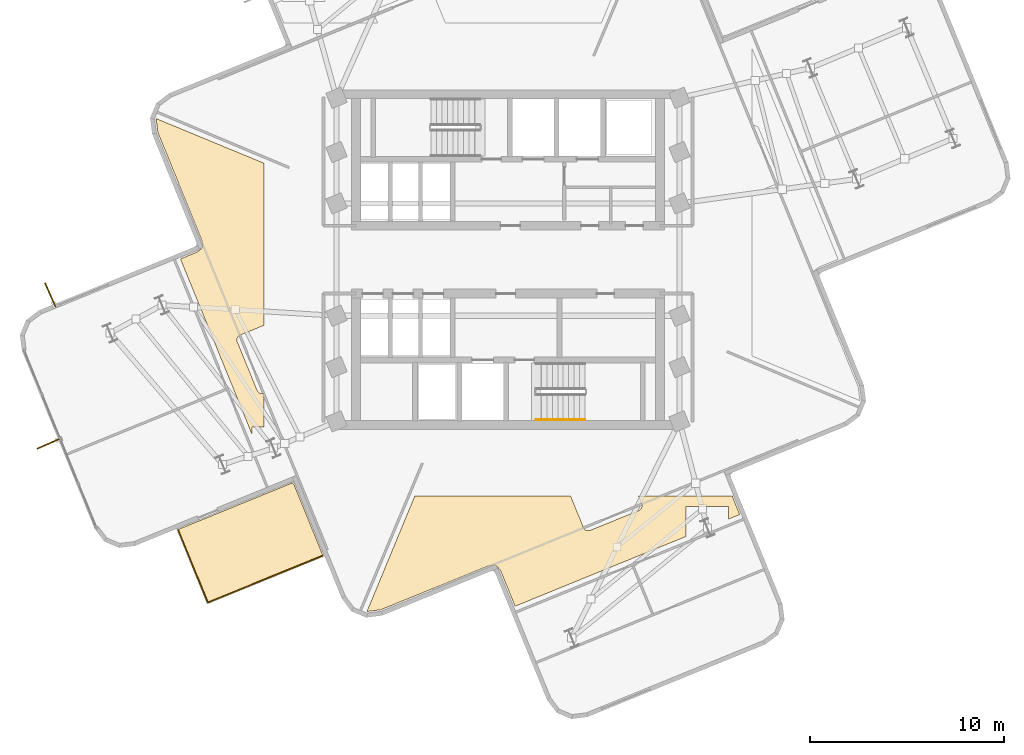
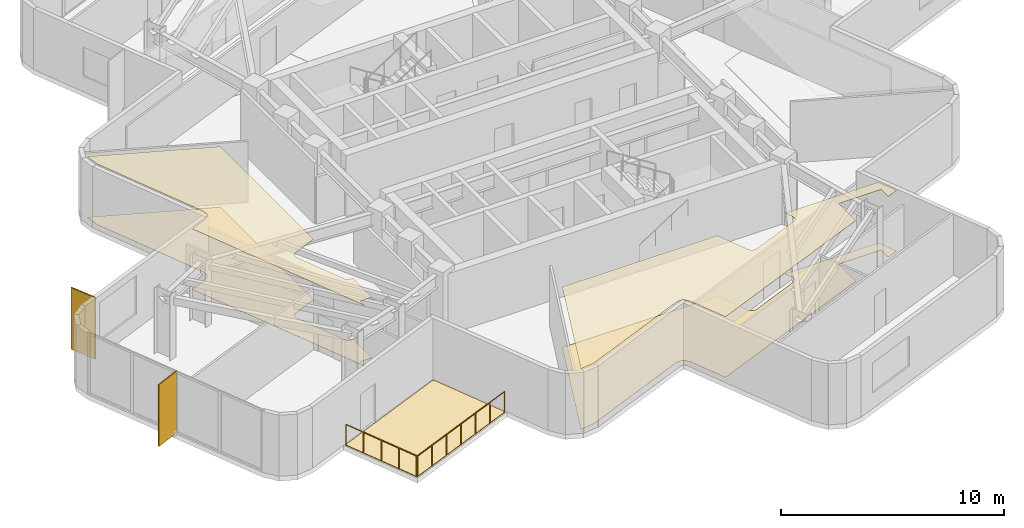
# One storey, part 9 of 11: 5 coverings, 3 railings, 2 shading devices.
"""IFC4 building model written with IfcOpenShell, lengths in metres."""

from ifc_helpers import new_model, si_unit, direction, frame, origin, origin_2d, place, context, subcontext, project, spatial, polyline, rectangle, circle, outline, extrude, material, layer, layer_set, type_object, element, save


model = new_model("IFC4")

# Units and contexts
model_context = context("Model", 3, precision=1e-05, world=origin(), true_north=direction((0.0, 1.0)))
body_context = subcontext(model_context, "Body", "Model", "MODEL_VIEW")
ifc_project = project(units=[si_unit("LENGTHUNIT", "METRE"), si_unit("AREAUNIT", "SQUARE_METRE"), si_unit("VOLUMEUNIT", "CUBIC_METRE"), si_unit("PLANEANGLEUNIT", "RADIAN"), si_unit("MASSUNIT", "GRAM", prefix="KILO")], contexts=[model_context])

# Site, building, storey
site_placement = place(None, origin())
site = spatial("IfcSite", under=ifc_project, at=site_placement, CompositionType="ELEMENT")
building_placement = place(site_placement, origin())
building = spatial("IfcBuilding", under=site, at=building_placement, Name="Solmarez Civic Tower", CompositionType="ELEMENT")
storey_placement = place(building_placement, frame((0.0, 0.0, 177.47998046875)))
storey = spatial("IfcBuildingStorey", under=building, at=storey_placement, Name="L47", CompositionType="ELEMENT", Elevation=177.47998046875)

# Coverings
ifc_material_1 = material(Name="Perforated Mineral-Fibre Acoustic Ceiling")
ifc_layer_1 = layer(ifc_material_1, 0.02490234375)
ifc_layer_set_1 = layer_set([ifc_layer_1], Name="Perforated Mineral-Fibre Acoustic Ceiling")
covering_type_1 = type_object("IfcCoveringType", Name="COV-CEIL-ACOUSTIC", PredefinedType="CEILING", material=ifc_layer_set_1)
covering_1_placement = place(storey_placement, frame((0.0, 0.0, 3.31494140625)))
element("IfcCovering", 1, at=covering_1_placement, inside=storey, type_object=covering_type_1, Name="L47 Suspended Acoustic Ceiling 2", PredefinedType="CEILING", context=body_context, shape_type="SweptSolid", body=[
    extrude(outline(polyline([(11.568115234375, -12.199951171875), (6.72802734375, -12.199951171875), (6.89208984375, -12.60107421875), (6.89404296875, -12.60595703125), (6.89990234375, -12.623046875), (6.905029296875, -12.639892578125), (6.906982421875, -12.64892578125), (6.910888671875, -12.673095703125), (6.912109375, -12.697021484375), (6.912109375, -12.70703125), (6.910888671875, -12.72900390625), (6.907958984375, -12.75), (6.906982421875, -12.7548828125), (6.89990234375, -12.781982421875), (6.89697265625, -12.791015625), (6.89208984375, -12.802978515625), (6.889892578125, -12.80810546875), (6.882080078125, -12.824951171875), (6.873046875, -12.842041015625), (6.862060546875, -12.85791015625), (6.85595703125, -12.865966796875), (6.846923828125, -12.876953125), (6.841064453125, -12.884033203125), (6.823974609375, -12.902099609375), (6.805908203125, -12.9169921875), (6.802001953125, -12.919921875), (6.781005859375, -12.93408203125), (6.759033203125, -12.945068359375), (6.75, -12.948974609375), (6.743896484375, -12.951904296875), (4.242919921875, -13.971923828125), (4.238037109375, -13.97412109375), (4.218994140625, -13.98095703125), (4.198974609375, -13.986083984375), (4.194091796875, -13.987060546875), (4.175048828125, -13.989990234375), (4.166015625, -13.990966796875), (4.14208984375, -13.991943359375), (4.136962890625, -13.991943359375), (4.114990234375, -13.990966796875), (4.093994140625, -13.988037109375), (4.089111328125, -13.987060546875), (4.06201171875, -13.97998046875), (4.052978515625, -13.97705078125), (4.041015625, -13.971923828125), (4.035888671875, -13.969970703125), (4.01904296875, -13.9619140625), (4.001953125, -13.952880859375), (3.986083984375, -13.94189453125), (3.97802734375, -13.93603515625), (3.97412109375, -13.93310546875), (3.9560546875, -13.91796875), (3.93896484375, -13.89990234375), (3.93310546875, -13.89306640625), (3.919921875, -13.8759765625), (3.908935546875, -13.85791015625), (3.89892578125, -13.839111328125), (3.89501953125, -13.830078125), (3.89208984375, -13.823974609375), (3.22900390625, -12.199951171875), (-4.81201171875, -12.199951171875), (-7.278076171875, -18.157958984375), (-7.27197265625, -18.159912109375), (-6.569091796875, -18.071044921875), (-1.032958984375, -15.81201171875), (-1.010009765625, -15.803955078125), (-1.0029296875, -15.802001953125), (-0.99609375, -15.800048828125), (-0.967041015625, -15.7939453125), (-0.95703125, -15.79296875), (-0.787109375, -15.77099609375), (-0.759033203125, -15.76904296875), (-0.742919921875, -15.76904296875), (-0.7119140625, -15.77099609375), (-0.70703125, -15.77197265625), (-0.700927734375, -15.77294921875), (-0.68408203125, -15.77490234375), (-0.66796875, -15.779052734375), (-0.660888671875, -15.781005859375), (-0.634033203125, -15.791015625), (-0.626953125, -15.7939453125), (-0.60498046875, -15.804931640625), (-0.597900390625, -15.80908203125), (-0.5849609375, -15.81689453125), (-0.5791015625, -15.821044921875), (-0.56005859375, -15.8349609375), (-0.553955078125, -15.840087890625), (-0.5390625, -15.85302734375), (-0.533935546875, -15.85791015625), (-0.52099609375, -15.873046875), (-0.51611328125, -15.87890625), (-0.510009765625, -15.886962890625), (-0.406005859375, -16.02392578125), (-0.39794921875, -16.034912109375), (-0.39404296875, -16.041015625), (-0.3798828125, -16.06494140625), (-0.3740234375, -16.076904296875), (-0.366943359375, -16.092041015625), (0.365966796875, -17.887939453125), (9.18994140625, -14.287109375), (9.18994140625, -12.75), (11.389892578125, -12.75), (11.389892578125, -13.388916015625), (11.9580078125, -13.156982421875), (11.568115234375, -12.199951171875)])), origin(), (0.0, 0.0, 1.0), 0.025146484375),
])
covering_2_placement = place(storey_placement, frame((0.0, 0.0, 3.31494140625)))
element("IfcCovering", 2, at=covering_2_placement, inside=storey, type_object=covering_type_1, Name="L47 Suspended Acoustic Ceiling 4", PredefinedType="CEILING", context=body_context, shape_type="SweptSolid", body=[
    extrude(outline(polyline([(-13.2060546875, -9.031982421875), (-13.2060546875, -8.631103515625), (-12.60009765625, -8.631103515625), (-12.60009765625, -6.89208984375), (-12.613037109375, -6.89697265625), (-12.6220703125, -6.89990234375), (-12.64892578125, -6.906982421875), (-12.654052734375, -6.907958984375), (-12.675048828125, -6.910888671875), (-12.697021484375, -6.912109375), (-12.70703125, -6.912109375), (-12.72900390625, -6.910888671875), (-12.75, -6.907958984375), (-12.7548828125, -6.906982421875), (-12.781982421875, -6.89990234375), (-12.791015625, -6.89697265625), (-12.802978515625, -6.89208984375), (-12.80810546875, -6.889892578125), (-12.824951171875, -6.882080078125), (-12.842041015625, -6.873046875), (-12.85791015625, -6.862060546875), (-12.865966796875, -6.85595703125), (-12.876953125, -6.846923828125), (-12.884033203125, -6.841064453125), (-12.902099609375, -6.823974609375), (-12.9169921875, -6.805908203125), (-12.919921875, -6.802001953125), (-12.93408203125, -6.781005859375), (-12.945068359375, -6.759033203125), (-12.948974609375, -6.75), (-12.951904296875, -6.743896484375), (-13.971923828125, -4.242919921875), (-13.97412109375, -4.238037109375), (-13.98095703125, -4.218994140625), (-13.986083984375, -4.198974609375), (-13.987060546875, -4.194091796875), (-13.989990234375, -4.175048828125), (-13.990966796875, -4.166015625), (-13.991943359375, -4.14208984375), (-13.991943359375, -4.136962890625), (-13.990966796875, -4.114990234375), (-13.988037109375, -4.093994140625), (-13.987060546875, -4.089111328125), (-13.97998046875, -4.06201171875), (-13.97705078125, -4.052978515625), (-13.971923828125, -4.041015625), (-13.969970703125, -4.035888671875), (-13.9619140625, -4.01904296875), (-13.952880859375, -4.001953125), (-13.94189453125, -3.986083984375), (-13.93603515625, -3.97802734375), (-13.93310546875, -3.97412109375), (-13.91796875, -3.9560546875), (-13.89990234375, -3.93896484375), (-13.89306640625, -3.93310546875), (-13.8759765625, -3.919921875), (-13.85791015625, -3.908935546875), (-13.839111328125, -3.89892578125), (-13.830078125, -3.89501953125), (-13.823974609375, -3.89208984375), (-12.60009765625, -3.39208984375), (-12.60009765625, 4.97705078125), (-18.157958984375, 7.278076171875), (-18.159912109375, 7.27197265625), (-18.071044921875, 6.569091796875), (-15.81201171875, 1.032958984375), (-15.803955078125, 1.010009765625), (-15.802001953125, 1.0029296875), (-15.800048828125, 0.99609375), (-15.7939453125, 0.967041015625), (-15.79296875, 0.95703125), (-15.77099609375, 0.787109375), (-15.76904296875, 0.759033203125), (-15.76904296875, 0.742919921875), (-15.77099609375, 0.7119140625), (-15.77197265625, 0.70703125), (-15.77294921875, 0.700927734375), (-15.77490234375, 0.68408203125), (-15.779052734375, 0.66796875), (-15.781005859375, 0.660888671875), (-15.791015625, 0.634033203125), (-15.7939453125, 0.626953125), (-15.804931640625, 0.60498046875), (-15.80908203125, 0.597900390625), (-15.81689453125, 0.5849609375), (-15.821044921875, 0.5791015625), (-15.8349609375, 0.56005859375), (-15.840087890625, 0.553955078125), (-15.85302734375, 0.5390625), (-15.85791015625, 0.533935546875), (-15.873046875, 0.52099609375), (-15.87890625, 0.51611328125), (-15.886962890625, 0.510009765625), (-16.02392578125, 0.406005859375), (-16.034912109375, 0.39794921875), (-16.041015625, 0.39404296875), (-16.06494140625, 0.3798828125), (-16.076904296875, 0.3740234375), (-16.092041015625, 0.366943359375), (-16.906005859375, 0.034912109375), (-13.2060546875, -9.031982421875)])), origin(), (0.0, 0.0, 1.0), 0.025146484375),
])
ifc_material_2 = material(Name="Polished Tropical Stone Terrazzo Flooring", Category="masonry")
ifc_layer_2 = layer(ifc_material_2, 0.02001953125)
ifc_layer_set_2 = layer_set([ifc_layer_2], Name="Polished Tropical Stone Terrazzo Flooring")
covering_type_2 = type_object("IfcCoveringType", Name="COV-FLOOR-TERRAZZO", PredefinedType="FLOORING", material=ifc_layer_set_2)
covering_3_placement = place(storey_placement, origin())
element("IfcCovering", 3, at=covering_3_placement, inside=storey, type_object=covering_type_2, Name="L47 Terrazzo Floor Finish 2", PredefinedType="FLOORING", context=body_context, shape_type="SweptSolid", body=[
    extrude(outline(polyline([(11.568115234375, -12.199951171875), (6.72802734375, -12.199951171875), (6.89208984375, -12.60107421875), (6.89404296875, -12.60595703125), (6.89990234375, -12.623046875), (6.905029296875, -12.639892578125), (6.906982421875, -12.64892578125), (6.910888671875, -12.673095703125), (6.912109375, -12.697021484375), (6.912109375, -12.70703125), (6.910888671875, -12.72900390625), (6.907958984375, -12.75), (6.906982421875, -12.7548828125), (6.89990234375, -12.781982421875), (6.89697265625, -12.791015625), (6.89208984375, -12.802978515625), (6.889892578125, -12.80810546875), (6.882080078125, -12.824951171875), (6.873046875, -12.842041015625), (6.862060546875, -12.85791015625), (6.85595703125, -12.865966796875), (6.846923828125, -12.876953125), (6.841064453125, -12.884033203125), (6.823974609375, -12.902099609375), (6.805908203125, -12.9169921875), (6.802001953125, -12.919921875), (6.781005859375, -12.93408203125), (6.759033203125, -12.945068359375), (6.75, -12.948974609375), (6.743896484375, -12.951904296875), (4.242919921875, -13.971923828125), (4.238037109375, -13.97412109375), (4.218994140625, -13.98095703125), (4.198974609375, -13.986083984375), (4.194091796875, -13.987060546875), (4.175048828125, -13.989990234375), (4.166015625, -13.990966796875), (4.14208984375, -13.991943359375), (4.136962890625, -13.991943359375), (4.114990234375, -13.990966796875), (4.093994140625, -13.988037109375), (4.089111328125, -13.987060546875), (4.06201171875, -13.97998046875), (4.052978515625, -13.97705078125), (4.041015625, -13.971923828125), (4.035888671875, -13.969970703125), (4.01904296875, -13.9619140625), (4.001953125, -13.952880859375), (3.986083984375, -13.94189453125), (3.97802734375, -13.93603515625), (3.97412109375, -13.93310546875), (3.9560546875, -13.91796875), (3.93896484375, -13.89990234375), (3.93310546875, -13.89306640625), (3.919921875, -13.8759765625), (3.908935546875, -13.85791015625), (3.89892578125, -13.839111328125), (3.89501953125, -13.830078125), (3.89208984375, -13.823974609375), (3.22900390625, -12.199951171875), (-4.81201171875, -12.199951171875), (-7.278076171875, -18.157958984375), (-7.27197265625, -18.159912109375), (-6.569091796875, -18.071044921875), (-1.032958984375, -15.81201171875), (-1.010009765625, -15.803955078125), (-1.0029296875, -15.802001953125), (-0.99609375, -15.800048828125), (-0.967041015625, -15.7939453125), (-0.95703125, -15.79296875), (-0.787109375, -15.77099609375), (-0.759033203125, -15.76904296875), (-0.742919921875, -15.76904296875), (-0.7119140625, -15.77099609375), (-0.70703125, -15.77197265625), (-0.700927734375, -15.77294921875), (-0.68408203125, -15.77490234375), (-0.66796875, -15.779052734375), (-0.660888671875, -15.781005859375), (-0.634033203125, -15.791015625), (-0.626953125, -15.7939453125), (-0.60498046875, -15.804931640625), (-0.597900390625, -15.80908203125), (-0.5849609375, -15.81689453125), (-0.5791015625, -15.821044921875), (-0.56005859375, -15.8349609375), (-0.553955078125, -15.840087890625), (-0.5390625, -15.85302734375), (-0.533935546875, -15.85791015625), (-0.52099609375, -15.873046875), (-0.51611328125, -15.87890625), (-0.510009765625, -15.886962890625), (-0.406005859375, -16.02392578125), (-0.39794921875, -16.034912109375), (-0.39404296875, -16.041015625), (-0.3798828125, -16.06494140625), (-0.3740234375, -16.076904296875), (-0.366943359375, -16.092041015625), (0.365966796875, -17.887939453125), (9.18994140625, -14.287109375), (9.18994140625, -12.75), (11.389892578125, -12.75), (11.389892578125, -13.388916015625), (11.9580078125, -13.156982421875), (11.568115234375, -12.199951171875)])), origin(), (0.0, 0.0, 1.0), 0.02001953125),
])
covering_4_placement = place(storey_placement, origin())
element("IfcCovering", 4, at=covering_4_placement, inside=storey, type_object=covering_type_2, Name="L47 Terrazzo Floor Finish 4", PredefinedType="FLOORING", context=body_context, shape_type="SweptSolid", body=[
    extrude(outline(polyline([(-13.2060546875, -9.031982421875), (-13.2060546875, -8.631103515625), (-12.60009765625, -8.631103515625), (-12.60009765625, -6.89208984375), (-12.613037109375, -6.89697265625), (-12.6220703125, -6.89990234375), (-12.64892578125, -6.906982421875), (-12.654052734375, -6.907958984375), (-12.675048828125, -6.910888671875), (-12.697021484375, -6.912109375), (-12.70703125, -6.912109375), (-12.72900390625, -6.910888671875), (-12.75, -6.907958984375), (-12.7548828125, -6.906982421875), (-12.781982421875, -6.89990234375), (-12.791015625, -6.89697265625), (-12.802978515625, -6.89208984375), (-12.80810546875, -6.889892578125), (-12.824951171875, -6.882080078125), (-12.842041015625, -6.873046875), (-12.85791015625, -6.862060546875), (-12.865966796875, -6.85595703125), (-12.876953125, -6.846923828125), (-12.884033203125, -6.841064453125), (-12.902099609375, -6.823974609375), (-12.9169921875, -6.805908203125), (-12.919921875, -6.802001953125), (-12.93408203125, -6.781005859375), (-12.945068359375, -6.759033203125), (-12.948974609375, -6.75), (-12.951904296875, -6.743896484375), (-13.971923828125, -4.242919921875), (-13.97412109375, -4.238037109375), (-13.98095703125, -4.218994140625), (-13.986083984375, -4.198974609375), (-13.987060546875, -4.194091796875), (-13.989990234375, -4.175048828125), (-13.990966796875, -4.166015625), (-13.991943359375, -4.14208984375), (-13.991943359375, -4.136962890625), (-13.990966796875, -4.114990234375), (-13.988037109375, -4.093994140625), (-13.987060546875, -4.089111328125), (-13.97998046875, -4.06201171875), (-13.97705078125, -4.052978515625), (-13.971923828125, -4.041015625), (-13.969970703125, -4.035888671875), (-13.9619140625, -4.01904296875), (-13.952880859375, -4.001953125), (-13.94189453125, -3.986083984375), (-13.93603515625, -3.97802734375), (-13.93310546875, -3.97412109375), (-13.91796875, -3.9560546875), (-13.89990234375, -3.93896484375), (-13.89306640625, -3.93310546875), (-13.8759765625, -3.919921875), (-13.85791015625, -3.908935546875), (-13.839111328125, -3.89892578125), (-13.830078125, -3.89501953125), (-13.823974609375, -3.89208984375), (-12.60009765625, -3.39208984375), (-12.60009765625, 4.97705078125), (-18.157958984375, 7.278076171875), (-18.159912109375, 7.27197265625), (-18.071044921875, 6.569091796875), (-15.81201171875, 1.032958984375), (-15.803955078125, 1.010009765625), (-15.802001953125, 1.0029296875), (-15.800048828125, 0.99609375), (-15.7939453125, 0.967041015625), (-15.79296875, 0.95703125), (-15.77099609375, 0.787109375), (-15.76904296875, 0.759033203125), (-15.76904296875, 0.742919921875), (-15.77099609375, 0.7119140625), (-15.77197265625, 0.70703125), (-15.77294921875, 0.700927734375), (-15.77490234375, 0.68408203125), (-15.779052734375, 0.66796875), (-15.781005859375, 0.660888671875), (-15.791015625, 0.634033203125), (-15.7939453125, 0.626953125), (-15.804931640625, 0.60498046875), (-15.80908203125, 0.597900390625), (-15.81689453125, 0.5849609375), (-15.821044921875, 0.5791015625), (-15.8349609375, 0.56005859375), (-15.840087890625, 0.553955078125), (-15.85302734375, 0.5390625), (-15.85791015625, 0.533935546875), (-15.873046875, 0.52099609375), (-15.87890625, 0.51611328125), (-15.886962890625, 0.510009765625), (-16.02392578125, 0.406005859375), (-16.034912109375, 0.39794921875), (-16.041015625, 0.39404296875), (-16.06494140625, 0.3798828125), (-16.076904296875, 0.3740234375), (-16.092041015625, 0.366943359375), (-16.906005859375, 0.034912109375), (-13.2060546875, -9.031982421875)])), origin(), (0.0, 0.0, 1.0), 0.02001953125),
])
ifc_material_3 = material(Name="Elastomeric Terrace Waterproofing Membrane")
ifc_layer_3 = layer(ifc_material_3, 0.030029296875)
ifc_layer_set_3 = layer_set([ifc_layer_3], Name="Elastomeric Terrace Waterproofing Membrane")
covering_type_3 = type_object("IfcCoveringType", Name="COV-MEMBRANE-ROOF", PredefinedType="ROOFING", material=ifc_layer_set_3)
covering_5_placement = place(storey_placement, origin())
element("IfcCovering", 5, at=covering_5_placement, inside=storey, type_object=covering_type_3, Name="L47 Balcony Waterproofing SW", PredefinedType="ROOFING", context=body_context, shape_type="SweptSolid", body=[
    extrude(outline(polyline([(-11.028076171875, -11.64892578125), (-11.10595703125, -11.547119140625), (-11.23291015625, -11.56298828125), (-17.0390625, -13.93310546875), (-15.498046875, -17.708984375), (-9.5458984375, -15.280029296875), (-11.028076171875, -11.64892578125)])), origin(), (0.0, 0.0, 1.0), 0.030029296875),
])

# Shading devices
ifc_material_4 = material(Name="Bronze Anodised Aluminium EN AW-6063 T6", Category="aluminium")
ifc_layer_4 = layer(ifc_material_4, 0.06005859375)
ifc_layer_set_4 = layer_set([ifc_layer_4], Name="Bronze Anodised Aluminium EN AW-6063 T6")
shading_device_type = type_object("IfcShadingDeviceType", Name="FIN-BRONZE-Z34", PredefinedType="USERDEFINED", material=ifc_layer_set_4)
for number, where, z_axis, x_axis, name in (
    (6, (-23.68408203125, -9.491943359375, -0.0400390625), (0.0, 0.0, 1.0), (-0.915023045309, -0.403401569846, 0.0), "L47 Anodised Bronze Solar Fin FIN-L47-01"),
    (7, (-23.62109375, -1.824951171875, -0.0400390625), (0.0, 0.0, 1.0), (-0.403449479788, 0.915001921998, 0.0), "L47 Anodised Bronze Solar Fin FIN-L47-02"),
):
    element("IfcShadingDevice", number, at=place(storey_placement, frame(where, z_axis=z_axis, x_axis=x_axis)), inside=storey, type_object=shading_device_type, Name=name, ObjectType="FIN", PredefinedType="USERDEFINED", context=body_context, shape_type="SweptSolid", body=[
        extrude(rectangle(XDim=1.35009765625, YDim=0.06005859375, at=origin_2d()), origin(), (0.0, 0.0, 1.0), 3.3798828125),
    ])

# Railings
ifc_material_5 = material(Name="Bronze Anodised Aluminium and Laminated Safety Glass Balustrade", Category="aluminium")
railing_type_1 = type_object("IfcRailingType", Name="GUARD-TERR-1180", PredefinedType="BALUSTRADE", material=ifc_material_5)
railing_1_placement = place(storey_placement, frame((-17.02587890625, -13.965087890625, 0.0)))
element("IfcRailing", 8, at=railing_1_placement, inside=storey, type_object=railing_type_1, Name="L47 Safety Balustrade GRD-BALC-L47-SW-1", PredefinedType="BALUSTRADE", context=body_context, shape_type="SweptSolid", body=[
    extrude(circle(Radius=0.02392578125, at=origin_2d()), frame((0.0, 0.0, 1.15576171875), z_axis=(0.377859711633, -0.92586286151, 0.0), x_axis=(0.92586286151, 0.377859711633, 0.0)), (0.0, 0.0, 1.0), 4.009033203125),
    extrude(circle(Radius=0.02099609375, at=origin_2d()), origin(), (0.0, 0.0, 1.0), 1.1318359375),
    extrude(circle(Radius=0.02099609375, at=origin_2d()), frame((0.378662109375, -0.927978515625, 0.0)), (0.0, 0.0, 1.0), 1.1318359375),
    extrude(circle(Radius=0.02099609375, at=origin_2d()), frame((0.75732421875, -1.85595703125, 0.0)), (0.0, 0.0, 1.0), 1.1318359375),
    extrude(circle(Radius=0.02099609375, at=origin_2d()), frame((1.13623046875, -2.783935546875, 0.0)), (0.0, 0.0, 1.0), 1.1318359375),
    extrude(circle(Radius=0.02099609375, at=origin_2d()), frame((1.514892578125, -3.7119140625, 0.0)), (0.0, 0.0, 1.0), 1.1318359375),
])
railing_2_placement = place(storey_placement, frame((-15.466064453125, -17.696044921875, 0.0)))
element("IfcRailing", 9, at=railing_2_placement, inside=storey, type_object=railing_type_1, Name="L47 Safety Balustrade GRD-BALC-L47-SW-2", PredefinedType="BALUSTRADE", context=body_context, shape_type="SweptSolid", body=[
    extrude(circle(Radius=0.02392578125, at=origin_2d()), frame((0.0, 0.0, 1.15576171875), z_axis=(0.925862170743, 0.377861404205, 0.0), x_axis=(-0.377861404205, 0.925862170743, 0.0)), (0.0, 0.0, 1.0), 6.359619140625),
    extrude(circle(Radius=0.02099609375, at=origin_2d()), origin(), (0.0, 0.0, 1.0), 1.1318359375),
    extrude(circle(Radius=0.02099609375, at=origin_2d()), frame((0.9814453125, 0.400390625, 0.0)), (0.0, 0.0, 1.0), 1.1318359375),
    extrude(circle(Radius=0.02099609375, at=origin_2d()), frame((1.962646484375, 0.801025390625, 0.0)), (0.0, 0.0, 1.0), 1.1318359375),
    extrude(circle(Radius=0.02099609375, at=origin_2d()), frame((2.944091796875, 1.20166015625, 0.0)), (0.0, 0.0, 1.0), 1.1318359375),
    extrude(circle(Radius=0.02099609375, at=origin_2d()), frame((3.925537109375, 1.60205078125, 0.0)), (0.0, 0.0, 1.0), 1.1318359375),
    extrude(circle(Radius=0.02099609375, at=origin_2d()), frame((4.90673828125, 2.00244140625, 0.0)), (0.0, 0.0, 1.0), 1.1318359375),
    extrude(circle(Radius=0.02099609375, at=origin_2d()), frame((5.88818359375, 2.403076171875, 0.0)), (0.0, 0.0, 1.0), 1.1318359375),
])
ifc_material_6 = material(Name="Brushed Stainless Steel Tube Handrail", Category="steel")
railing_type_2 = type_object("IfcRailingType", Name="HANDRAIL-STAIR-900", PredefinedType="HANDRAIL", material=ifc_material_6)
railing_3_placement = place(storey_placement, frame((1.449951171875, -8.27001953125, 0.179931640625)))
element("IfcRailing", 10, at=railing_3_placement, inside=storey, type_object=railing_type_2, Name="L47 ST-2 stair handrail 1", PredefinedType="HANDRAIL", context=body_context, shape_type="SweptSolid", body=[
    extrude(circle(Radius=0.02392578125, at=origin_2d()), frame((0.0, 0.0, 0.8759765625), z_axis=(0.841162588446, 0.0, 0.540782303519), x_axis=(0.0, 1.0, 0.0)), (0.0, 0.0, 1.0), 2.995849609375),
    extrude(circle(Radius=0.02099609375, at=origin_2d()), origin(), (0.0, 0.0, 1.0), 0.851806640625),
    extrude(circle(Radius=0.02099609375, at=origin_2d()), frame((0.840087890625, 0.0, 0.5400390625)), (0.0, 0.0, 1.0), 0.851806640625),
    extrude(circle(Radius=0.02099609375, at=origin_2d()), frame((1.679931640625, 0.0, 1.080078125)), (0.0, 0.0, 1.0), 0.851806640625),
    extrude(circle(Radius=0.02099609375, at=origin_2d()), frame((2.52001953125, 0.0, 1.6201171875)), (0.0, 0.0, 1.0), 0.851806640625),
])

save(model, "model.ifc")
